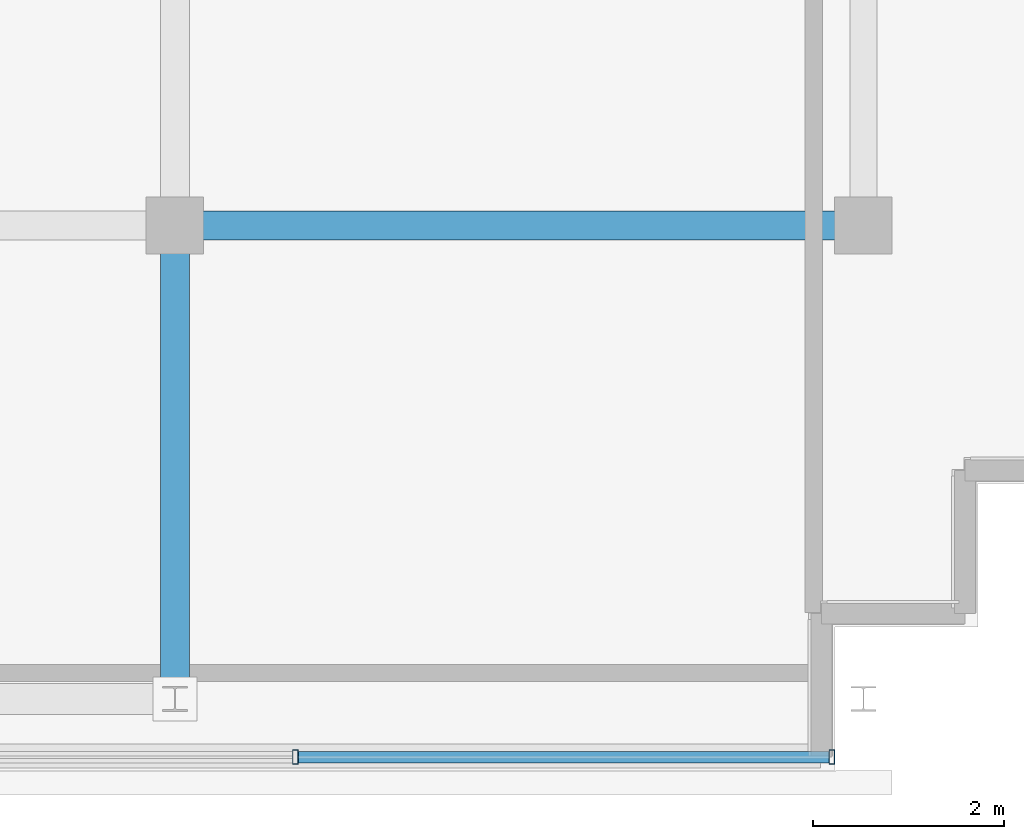
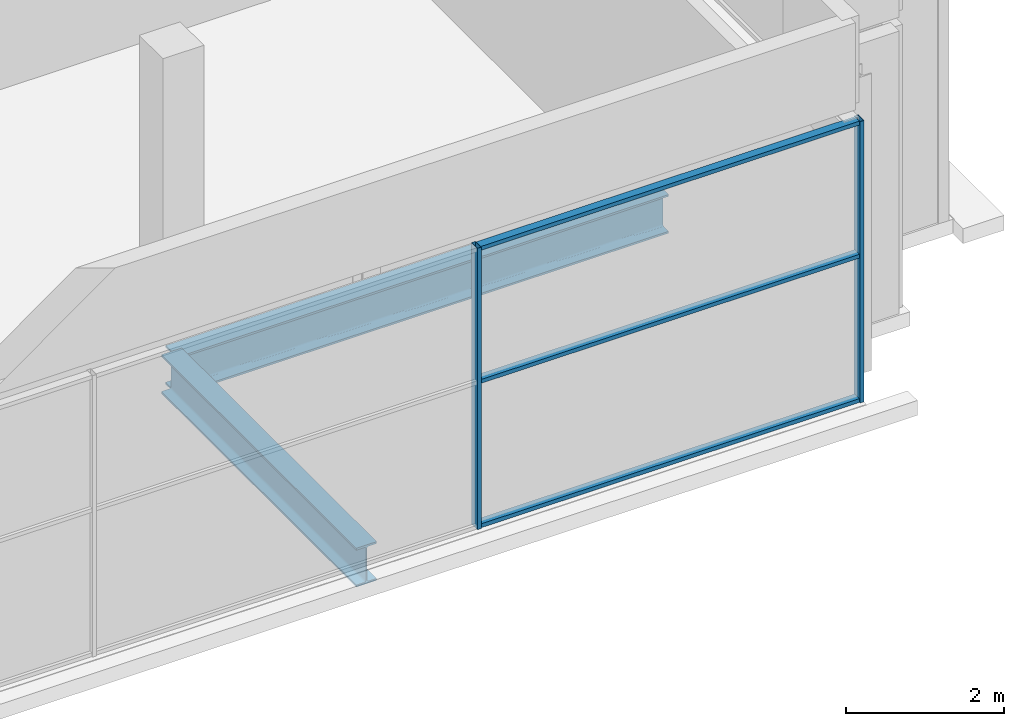
# One storey, part 9 of 22: 5 members, 2 beams, 1 element without a shape of its own.
"""IFC4 building model written with IfcOpenShell, lengths in metres."""

from ifc_helpers import new_model, si_unit, direction, frame, origin, origin_2d, place, context, subcontext, project, spatial, hollow_rectangle, i_section, extrude, source, transform, mapped, material, layer, layer_set, material_profile, profile_set, type_object, element, aggregate, save


model = new_model("IFC4")

# Units and contexts
model_context = context("Model", 3, precision=1e-05, world=origin(), true_north=direction((0.0, 1.0)))
body_context = subcontext(model_context, "Body", "Model", "MODEL_VIEW")
ifc_project = project(units=[si_unit("LENGTHUNIT", "METRE"), si_unit("AREAUNIT", "SQUARE_METRE"), si_unit("VOLUMEUNIT", "CUBIC_METRE"), si_unit("PLANEANGLEUNIT", "RADIAN"), si_unit("MASSUNIT", "GRAM", prefix="KILO")], contexts=[model_context])

# Site, building, storey
site_placement = place(None, origin())
site = spatial("IfcSite", under=ifc_project, at=site_placement, CompositionType="ELEMENT")
building_placement = place(site_placement, origin())
building = spatial("IfcBuilding", under=site, at=building_placement, Name="Zarnakvel Exchange Tower", CompositionType="ELEMENT")
storey_placement = place(building_placement, frame((0.0, 0.0, 299.199951171875)))
storey = spatial("IfcBuildingStorey", under=building, at=storey_placement, Name="Crown L83", CompositionType="ELEMENT", Elevation=299.199951171875)

# Beams
ifc_material_1 = material(Name="Steel S355", Category="steel")
ifc_material_profile_1 = material_profile(ifc_material_1, i_section(OverallWidth=0.300048828125, OverallDepth=0.60009765625, WebThickness=0.015380859375, FlangeThickness=0.030029296875, FilletRadius=0.027099609375, at=origin_2d()))
ifc_profile_set_1 = profile_set([ifc_material_profile_1], Name="Steel S355")
beam_type = type_object("IfcBeamType", Name="G-04", PredefinedType="BEAM", material=ifc_profile_set_1)
beam_1_placement = place(storey_placement, frame((7.199951171875, -9.60009765625, -0.52001953125), z_axis=(1.0, 0.0, 0.0), x_axis=(0.0, 1.0, 0.0)))
element("IfcBeam", 1, at=beam_1_placement, inside=storey, type_object=beam_type, Name="Crown L83 Tower E-W Frame Beam", PredefinedType="BEAM", context=body_context, shape_type="SweptSolid", body=[
    extrude(i_section(OverallWidth=0.300048828125, OverallDepth=0.60009765625, WebThickness=0.015380859375, FlangeThickness=0.030029296875, FilletRadius=0.027099609375, at=origin_2d()), origin(), (0.0, 0.0, 1.0), 7.199951171875),
])
beam_2_placement = place(storey_placement, frame((7.199951171875, -14.550048828125, -0.52001953125), z_axis=(0.0, 1.0, 0.0), x_axis=(-1.0, 0.0, 0.0)))
element("IfcBeam", 2, at=beam_2_placement, inside=storey, type_object=beam_type, Name="Crown L83 Tower N-S Frame Beam", PredefinedType="BEAM", context=body_context, shape_type="SweptSolid", body=[
    extrude(i_section(OverallWidth=0.300048828125, OverallDepth=0.60009765625, WebThickness=0.015380859375, FlangeThickness=0.030029296875, FilletRadius=0.027099609375, at=origin_2d()), origin(), (0.0, 0.0, 1.0), 4.949951171875),
])

# Curtain wall, members
ifc_material_2 = material(Name="Architectural Bronze Anodised Aluminium", Category="aluminium")
ifc_layer = layer(ifc_material_2, 0.14990234375)
ifc_layer_set = layer_set([ifc_layer], Name="Architectural Bronze Anodised Aluminium")
curtain_wall_type = type_object("IfcCurtainWallType", Name="CW-07", PredefinedType="NOTDEFINED", material=ifc_layer_set)
curtain_wall_placement = place(storey_placement, origin())
curtain_wall = element("IfcCurtainWall", 3, at=curtain_wall_placement, inside=storey, type_object=curtain_wall_type, Name="Crown L83 Curtain Wall CW-Crown L83-S (CW-07)", PredefinedType="NOTDEFINED")
ifc_material_profile_2 = material_profile(ifc_material_2, hollow_rectangle(XDim=0.14990234375, YDim=0.06005859375, WallThickness=0.00390625, at=origin_2d()))
ifc_profile_set_2 = profile_set([ifc_material_profile_2], Name="Architectural Bronze Anodised Aluminium")
member_type_1 = type_object("IfcMemberType", Name="CWM-07", PredefinedType="MULLION", material=ifc_profile_set_2)
shared_shape_1 = source(origin(), body_context, "Body", "SweptSolid", [
    extrude(hollow_rectangle(XDim=0.14990234375, YDim=0.06005859375, WallThickness=0.00390625, at=origin_2d()), origin(), (0.0, 0.0, 1.0), 4.360107421875),
])
member_1_placement = place(storey_placement, frame((8.4599609375, -15.159912109375, 0.0), z_axis=(0.0, 0.0, 1.0), x_axis=(0.0, 1.0, 0.0)))
member_1 = element("IfcMember", 4, at=member_1_placement, type_object=member_type_1, Name="CW-07 mullion 5", PredefinedType="MULLION", context=body_context, shape_type="MappedRepresentation", body=[
    mapped(shared_shape_1, transform((0.0, 0.0, 0.0), x_axis=(1.0, 0.0, 0.0), y_axis=(0.0, 1.0, 0.0), z_axis=(0.0, 0.0, 1.0), scale=1.0)),
])
member_2_placement = place(storey_placement, frame((14.070068359375, -15.159912109375, 0.0), z_axis=(0.0, 0.0, 1.0), x_axis=(0.0, 1.0, 0.0)))
member_2 = element("IfcMember", 5, at=member_2_placement, type_object=member_type_1, Name="CW-07 mullion 6", PredefinedType="MULLION", context=body_context, shape_type="MappedRepresentation", body=[
    mapped(shared_shape_1, transform((0.0, 0.0, 0.0), x_axis=(1.0, 0.0, 0.0), y_axis=(0.0, 1.0, 0.0), z_axis=(0.0, 0.0, 1.0), scale=1.0)),
])
ifc_material_profile_3 = material_profile(ifc_material_2, hollow_rectangle(XDim=0.1201171875, YDim=0.06005859375, WallThickness=0.00390625, at=origin_2d()))
ifc_profile_set_3 = profile_set([ifc_material_profile_3], Name="Architectural Bronze Anodised Aluminium")
member_type_2 = type_object("IfcMemberType", Name="CWT-07", PredefinedType="USERDEFINED", material=ifc_profile_set_3)
shared_shape_2 = source(origin(), body_context, "Body", "SweptSolid", [
    extrude(hollow_rectangle(XDim=0.1201171875, YDim=0.06005859375, WallThickness=0.00390625, at=origin_2d()), origin(), (0.0, 0.0, 1.0), 5.550048828125),
])
member_3_placement = place(storey_placement, frame((8.489990234375, -15.159912109375, 0.030029296875), z_axis=(1.0, 0.0, 0.0), x_axis=(0.0, 1.0, 0.0)))
member_3 = element("IfcMember", 6, at=member_3_placement, type_object=member_type_2, Name="CW-07 transom 5.1", ObjectType="TRANSOM", PredefinedType="USERDEFINED", context=body_context, shape_type="MappedRepresentation", body=[
    mapped(shared_shape_2, transform((0.0, 0.0, 0.0), x_axis=(1.0, 0.0, 0.0), y_axis=(0.0, 1.0, 0.0), z_axis=(0.0, 0.0, 1.0), scale=1.0)),
])
member_4_placement = place(storey_placement, frame((8.489990234375, -15.159912109375, 2.267333984375), z_axis=(1.0, 0.0, 0.0), x_axis=(0.0, 1.0, 0.0)))
member_4 = element("IfcMember", 7, at=member_4_placement, type_object=member_type_2, Name="CW-07 transom 5.2", ObjectType="TRANSOM", PredefinedType="USERDEFINED", context=body_context, shape_type="MappedRepresentation", body=[
    mapped(shared_shape_2, transform((0.0, 0.0, 0.0), x_axis=(1.0, 0.0, 0.0), y_axis=(0.0, 1.0, 0.0), z_axis=(0.0, 0.0, 1.0), scale=1.0)),
])
member_5_placement = place(storey_placement, frame((8.489990234375, -15.159912109375, 4.330078125), z_axis=(1.0, 0.0, 0.0), x_axis=(0.0, 1.0, 0.0)))
member_5 = element("IfcMember", 8, at=member_5_placement, type_object=member_type_2, Name="CW-07 transom 5.3", ObjectType="TRANSOM", PredefinedType="USERDEFINED", context=body_context, shape_type="MappedRepresentation", body=[
    mapped(shared_shape_2, transform((0.0, 0.0, 0.0), x_axis=(1.0, 0.0, 0.0), y_axis=(0.0, 1.0, 0.0), z_axis=(0.0, 0.0, 1.0), scale=1.0)),
])
aggregate(curtain_wall, [member_1, member_2, member_3, member_4, member_5])

save(model, "model.ifc")
